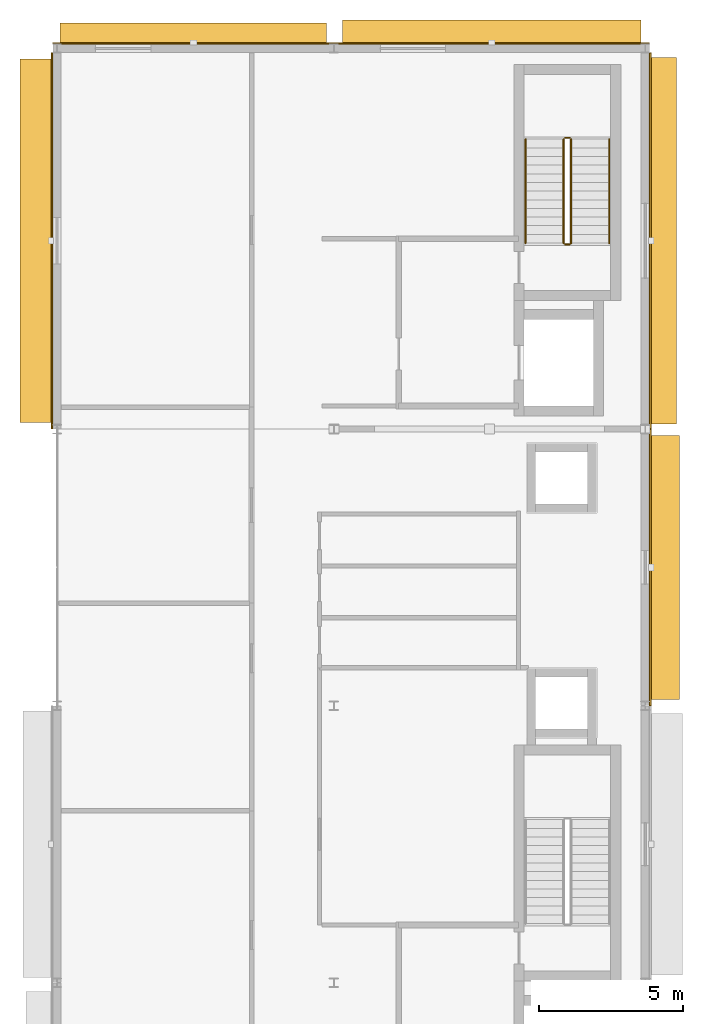
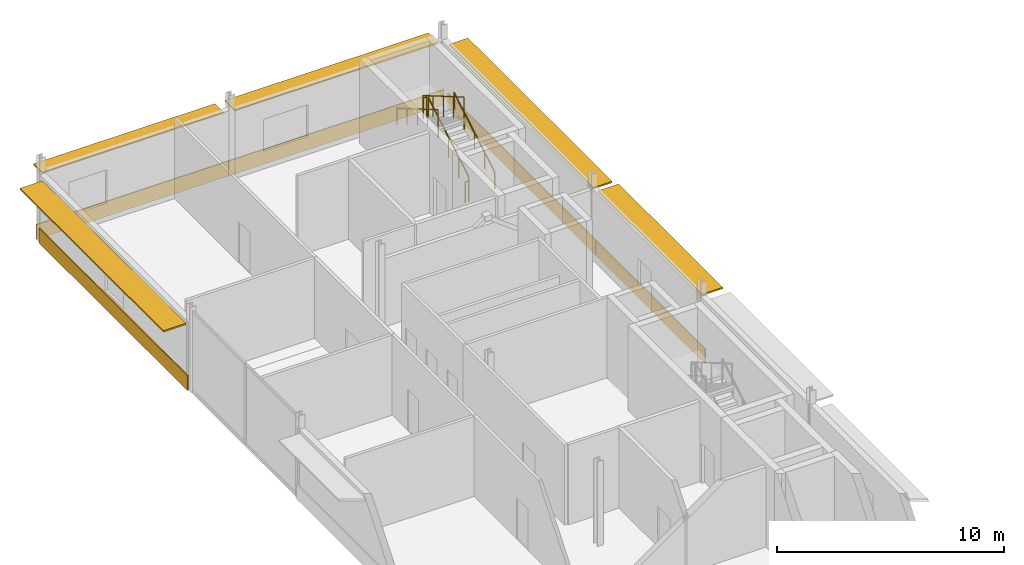
# One storey, part 10 of 10: 6 railings, 5 coverings, 5 shading devices.
"""IFC4 building model written with IfcOpenShell, lengths in metres."""

from ifc_helpers import new_model, si_unit, direction, frame, origin, origin_2d, place, context, subcontext, project, spatial, rectangle, circle, extrude, material, layer, layer_set, type_object, element, save


model = new_model("IFC4")

# Units and contexts
model_context = context("Model", 3, precision=1e-05, world=origin(), true_north=direction((0.0, 1.0)))
body_context = subcontext(model_context, "Body", "Model", "MODEL_VIEW")
ifc_project = project(units=[si_unit("LENGTHUNIT", "METRE"), si_unit("AREAUNIT", "SQUARE_METRE"), si_unit("VOLUMEUNIT", "CUBIC_METRE"), si_unit("PLANEANGLEUNIT", "RADIAN"), si_unit("MASSUNIT", "GRAM", prefix="KILO")], contexts=[model_context])

# Site, building, storey
site_placement = place(None, origin())
site = spatial("IfcSite", under=ifc_project, at=site_placement, CompositionType="ELEMENT")
building_placement = place(site_placement, origin())
building = spatial("IfcBuilding", under=site, at=building_placement, Name="Almandine Court Research Institute", CompositionType="ELEMENT")
storey_placement = place(building_placement, frame((0.0, 0.0, 41.64990234375)))
storey = spatial("IfcBuildingStorey", under=building, at=storey_placement, Name="L09", CompositionType="ELEMENT", Elevation=41.64990234375)

# Coverings
ifc_material_1 = material(Name="Extruded Cream-Ochre Seismic Terracotta Spandrel", Category="masonry")
ifc_layer_1 = layer(ifc_material_1, 0.054931640625)
ifc_layer_set_1 = layer_set([ifc_layer_1], Name="Extruded Cream-Ochre Seismic Terracotta Spandrel")
covering_type = type_object("IfcCoveringType", Name="Cov-CLAD-TERR", PredefinedType="CLADDING", material=ifc_layer_set_1)
covering_1_placement = place(storey_placement, frame((153.428955078125, 50.927978515625, 0.02001953125), z_axis=(0.0, 0.0, 1.0), x_axis=(0.0, 1.0, 0.0)))
element("IfcCovering", 1, at=covering_1_placement, inside=storey, type_object=covering_type, Name="L09 Facade Spandrel Cladding Band 242", PredefinedType="CLADDING", context=body_context, shape_type="SweptSolid", body=[
    extrude(rectangle(XDim=13.047119140625, YDim=0.054931640625, at=origin_2d()), origin(), (0.0, 0.0, 1.0), 0.800048828125),
])
covering_2_placement = place(storey_placement, frame((158.325927734375, 57.77001953125, 0.02001953125), z_axis=(0.0, 0.0, 1.0), x_axis=(1.0, 0.0, 0.0)))
element("IfcCovering", 2, at=covering_2_placement, inside=storey, type_object=covering_type, Name="L09 Facade Spandrel Cladding Band 243", PredefinedType="CLADDING", context=body_context, shape_type="SweptSolid", body=[
    extrude(rectangle(XDim=9.740966796875, YDim=0.054931640625, at=origin_2d()), origin(), (0.0, 0.0, 1.0), 0.800048828125),
])
covering_3_placement = place(storey_placement, frame((168.675048828125, 57.77001953125, 0.02001953125), z_axis=(0.0, 0.0, 1.0), x_axis=(1.0, 0.0, 0.0)))
element("IfcCovering", 3, at=covering_3_placement, inside=storey, type_object=covering_type, Name="L09 Facade Spandrel Cladding Band 244", PredefinedType="CLADDING", context=body_context, shape_type="SweptSolid", body=[
    extrude(rectangle(XDim=10.94091796875, YDim=0.054931640625, at=origin_2d()), origin(), (0.0, 0.0, 1.0), 0.800048828125),
])
covering_4_placement = place(storey_placement, frame((174.1708984375, 50.927978515625, 0.02001953125), z_axis=(0.0, 0.0, 1.0), x_axis=(0.0, -1.0, 0.0)))
element("IfcCovering", 4, at=covering_4_placement, inside=storey, type_object=covering_type, Name="L09 Facade Spandrel Cladding Band 245", PredefinedType="CLADDING", context=body_context, shape_type="SweptSolid", body=[
    extrude(rectangle(XDim=13.047119140625, YDim=0.054931640625, at=origin_2d()), origin(), (0.0, 0.0, 1.0), 0.800048828125),
])
covering_5_placement = place(storey_placement, frame((174.1708984375, 39.60009765625, 0.02001953125), z_axis=(0.0, 0.0, 1.0), x_axis=(0.0, -1.0, 0.0)))
element("IfcCovering", 5, at=covering_5_placement, inside=storey, type_object=covering_type, Name="L09 Facade Spandrel Cladding Band 246", PredefinedType="CLADDING", context=body_context, shape_type="SweptSolid", body=[
    extrude(rectangle(XDim=9.592041015625, YDim=0.054931640625, at=origin_2d()), origin(), (0.0, 0.0, 1.0), 0.800048828125),
])

# Railings
ifc_material_2 = material(Name="Powder-Coated Steel Stair and Atrium Balustrade", Category="steel")
railing_type_1 = type_object("IfcRailingType", Name="Rail-GUARD-INT", PredefinedType="BALUSTRADE", material=ifc_material_2)
railing_1_placement = place(storey_placement, frame((171.429931640625, 50.85009765625, 0.175048828125)))
element("IfcRailing", 6, at=railing_1_placement, inside=storey, type_object=railing_type_1, Name="L09 ST-08 stair guard 1", PredefinedType="BALUSTRADE", context=body_context, shape_type="SweptSolid", body=[
    extrude(circle(Radius=0.02392578125, at=origin_2d()), frame((0.0, 0.0, 1.09619140625), z_axis=(0.0, 0.863759778359, 0.503903805591), x_axis=(-1.0, 0.0, 0.0)), (0.0, 0.0, 1.0), 4.167724609375),
    extrude(circle(Radius=0.02099609375, at=origin_2d()), origin(), (0.0, 0.0, 1.0), 1.072021484375),
    extrude(circle(Radius=0.02099609375, at=origin_2d()), frame((0.0, 0.89990234375, 0.52490234375)), (0.0, 0.0, 1.0), 1.072021484375),
    extrude(circle(Radius=0.02099609375, at=origin_2d()), frame((0.0, 1.7998046875, 1.050048828125)), (0.0, 0.0, 1.0), 1.072021484375),
    extrude(circle(Radius=0.02099609375, at=origin_2d()), frame((0.0, 2.699951171875, 1.5751953125)), (0.0, 0.0, 1.0), 1.072021484375),
    extrude(circle(Radius=0.02099609375, at=origin_2d()), frame((0.0, 3.599853515625, 2.10009765625)), (0.0, 0.0, 1.0), 1.072021484375),
])
railing_2_placement = place(storey_placement, frame((171.3798828125, 54.5, 2.275146484375)))
element("IfcRailing", 7, at=railing_2_placement, inside=storey, type_object=railing_type_1, Name="L09 ST-08 stair guard 2", PredefinedType="BALUSTRADE", context=body_context, shape_type="SweptSolid", body=[
    extrude(circle(Radius=0.02392578125, at=origin_2d()), frame((0.0, 0.0, 1.09619140625), z_axis=(-1.0, 0.0, 0.0), x_axis=(0.0, -1.0, 0.0)), (0.0, 0.0, 1.0), 0.159912109375),
    extrude(circle(Radius=0.02099609375, at=origin_2d()), origin(), (0.0, 0.0, 1.0), 1.072021484375),
    extrude(circle(Radius=0.02099609375, at=origin_2d()), frame((-0.159912109375, 0.0, 0.0)), (0.0, 0.0, 1.0), 1.072021484375),
])
railing_3_placement = place(storey_placement, frame((171.169921875, 54.449951171875, 2.4501953125)))
element("IfcRailing", 8, at=railing_3_placement, inside=storey, type_object=railing_type_1, Name="L09 ST-08 stair guard 3", PredefinedType="BALUSTRADE", context=body_context, shape_type="SweptSolid", body=[
    extrude(circle(Radius=0.02392578125, at=origin_2d()), frame((0.0, 0.0, 1.09619140625), z_axis=(0.0, -0.86378527499, 0.503860098351), x_axis=(1.0, 0.0, 0.0)), (0.0, 0.0, 1.0), 4.16748046875),
    extrude(circle(Radius=0.02099609375, at=origin_2d()), origin(), (0.0, 0.0, 1.0), 1.072021484375),
    extrude(circle(Radius=0.02099609375, at=origin_2d()), frame((0.0, -0.89990234375, 0.52490234375)), (0.0, 0.0, 1.0), 1.072021484375),
    extrude(circle(Radius=0.02099609375, at=origin_2d()), frame((0.0, -1.7998046875, 1.0498046875)), (0.0, 0.0, 1.0), 1.072021484375),
    extrude(circle(Radius=0.02099609375, at=origin_2d()), frame((0.0, -2.699951171875, 1.574951171875)), (0.0, 0.0, 1.0), 1.072021484375),
    extrude(circle(Radius=0.02099609375, at=origin_2d()), frame((0.0, -3.599853515625, 2.099853515625)), (0.0, 0.0, 1.0), 1.072021484375),
])
railing_4_placement = place(storey_placement, frame((171.3798828125, 50.800048828125, 0.0)))
element("IfcRailing", 9, at=railing_4_placement, inside=storey, type_object=railing_type_1, Name="L09 ST-08 stair guard 4", PredefinedType="BALUSTRADE", context=body_context, shape_type="SweptSolid", body=[
    extrude(circle(Radius=0.02392578125, at=origin_2d()), frame((0.0, 0.0, 1.09619140625), z_axis=(-1.0, 0.0, 0.0), x_axis=(0.0, -1.0, 0.0)), (0.0, 0.0, 1.0), 0.159912109375),
    extrude(circle(Radius=0.02099609375, at=origin_2d()), origin(), (0.0, 0.0, 1.0), 1.072021484375),
    extrude(circle(Radius=0.02099609375, at=origin_2d()), frame((-0.159912109375, 0.0, 0.0)), (0.0, 0.0, 1.0), 1.072021484375),
])
ifc_material_3 = material(Name="Brushed Stainless Steel Wall Handrail", Category="steel")
railing_type_2 = type_object("IfcRailingType", Name="Rail-HAND-INT", PredefinedType="HANDRAIL", material=ifc_material_3)
railing_5_placement = place(storey_placement, frame((172.75, 50.85009765625, 0.175048828125)))
element("IfcRailing", 10, at=railing_5_placement, inside=storey, type_object=railing_type_2, Name="L09 ST-08 stair handrail 1", PredefinedType="HANDRAIL", context=body_context, shape_type="SweptSolid", body=[
    extrude(circle(Radius=0.02392578125, at=origin_2d()), frame((0.0, 0.0, 0.8759765625), z_axis=(0.0, 0.863759778359, 0.503903805591), x_axis=(-1.0, 0.0, 0.0)), (0.0, 0.0, 1.0), 4.167724609375),
    extrude(circle(Radius=0.02099609375, at=origin_2d()), origin(), (0.0, 0.0, 1.0), 0.851806640625),
    extrude(circle(Radius=0.02099609375, at=origin_2d()), frame((0.0, 0.89990234375, 0.52490234375)), (0.0, 0.0, 1.0), 0.851806640625),
    extrude(circle(Radius=0.02099609375, at=origin_2d()), frame((0.0, 1.7998046875, 1.050048828125)), (0.0, 0.0, 1.0), 0.851806640625),
    extrude(circle(Radius=0.02099609375, at=origin_2d()), frame((0.0, 2.699951171875, 1.5751953125)), (0.0, 0.0, 1.0), 0.851806640625),
    extrude(circle(Radius=0.02099609375, at=origin_2d()), frame((0.0, 3.599853515625, 2.10009765625)), (0.0, 0.0, 1.0), 0.851806640625),
])
railing_6_placement = place(storey_placement, frame((169.85009765625, 54.449951171875, 2.4501953125)))
element("IfcRailing", 11, at=railing_6_placement, inside=storey, type_object=railing_type_2, Name="L09 ST-08 stair handrail 2", PredefinedType="HANDRAIL", context=body_context, shape_type="SweptSolid", body=[
    extrude(circle(Radius=0.02392578125, at=origin_2d()), frame((0.0, 0.0, 0.8759765625), z_axis=(0.0, -0.86378527499, 0.503860098351), x_axis=(1.0, 0.0, 0.0)), (0.0, 0.0, 1.0), 4.16748046875),
    extrude(circle(Radius=0.02099609375, at=origin_2d()), origin(), (0.0, 0.0, 1.0), 0.851806640625),
    extrude(circle(Radius=0.02099609375, at=origin_2d()), frame((0.0, -0.89990234375, 0.52490234375)), (0.0, 0.0, 1.0), 0.851806640625),
    extrude(circle(Radius=0.02099609375, at=origin_2d()), frame((0.0, -1.7998046875, 1.0498046875)), (0.0, 0.0, 1.0), 0.851806640625),
    extrude(circle(Radius=0.02099609375, at=origin_2d()), frame((0.0, -2.699951171875, 1.574951171875)), (0.0, 0.0, 1.0), 0.851806640625),
    extrude(circle(Radius=0.02099609375, at=origin_2d()), frame((0.0, -3.599853515625, 2.099853515625)), (0.0, 0.0, 1.0), 0.851806640625),
])

# Shading devices
ifc_material_4 = material(Name="Precast GFRC Chhajja Sunshade and Acoustic Louvre", Category="concrete")
ifc_layer_2 = layer(ifc_material_4, 0.080078125)
ifc_layer_set_2 = layer_set([ifc_layer_2], Name="Precast GFRC Chhajja Sunshade and Acoustic Louvre")
shading_device_type_1 = type_object("IfcShadingDeviceType", Name="Shd-SD-12", PredefinedType="AWNING", material=ifc_layer_set_2)
shading_device_1_placement = place(storey_placement, frame((174.659912109375, 39.60009765625, 3.5419921875), z_axis=(0.0, 0.0, 1.0), x_axis=(0.0, -1.0, 0.0)))
element("IfcShadingDevice", 12, at=shading_device_1_placement, inside=storey, type_object=shading_device_type_1, Name="L09 Projecting Chhajja Sunshade 173", PredefinedType="AWNING", context=body_context, shape_type="SweptSolid", body=[
    extrude(rectangle(XDim=9.162109375, YDim=1.050048828125, at=origin_2d()), origin(), (0.0, 0.0, 1.0), 0.080078125),
])
ifc_layer_3 = layer(ifc_material_4, 0.080078125)
ifc_layer_set_3 = layer_set([ifc_layer_3], Name="Precast GFRC Chhajja Sunshade and Acoustic Louvre")
shading_device_type_2 = type_object("IfcShadingDeviceType", Name="Shd-SD-20", PredefinedType="AWNING", material=ifc_layer_set_3)
shading_device_2_placement = place(storey_placement, frame((158.325927734375, 58.110107421875, 3.468017578125), z_axis=(0.0, 0.0, 1.0), x_axis=(1.0, 0.0, 0.0)))
element("IfcShadingDevice", 13, at=shading_device_2_placement, inside=storey, type_object=shading_device_type_2, Name="L09 Projecting Chhajja Sunshade 170", PredefinedType="AWNING", context=body_context, shape_type="SweptSolid", body=[
    extrude(rectangle(XDim=9.23095703125, YDim=0.75, at=origin_2d()), origin(), (0.0, 0.0, 1.0), 0.080078125),
])
ifc_layer_4 = layer(ifc_material_4, 0.080078125)
ifc_layer_set_4 = layer_set([ifc_layer_4], Name="Precast GFRC Chhajja Sunshade and Acoustic Louvre")
shading_device_type_3 = type_object("IfcShadingDeviceType", Name="Shd-SD-76", PredefinedType="AWNING", material=ifc_layer_set_4)
shading_device_3_placement = place(storey_placement, frame((152.889892578125, 50.927978515625, 3.400146484375), z_axis=(0.0, 0.0, 1.0), x_axis=(0.0, 1.0, 0.0)))
element("IfcShadingDevice", 14, at=shading_device_3_placement, inside=storey, type_object=shading_device_type_3, Name="L09 Projecting Chhajja Sunshade 169", PredefinedType="AWNING", context=body_context, shape_type="SweptSolid", body=[
    extrude(rectangle(XDim=12.616943359375, YDim=1.14990234375, at=origin_2d()), origin(), (0.0, 0.0, 1.0), 0.080078125),
])
ifc_layer_5 = layer(ifc_material_4, 0.080078125)
ifc_layer_set_5 = layer_set([ifc_layer_5], Name="Precast GFRC Chhajja Sunshade and Acoustic Louvre")
shading_device_type_4 = type_object("IfcShadingDeviceType", Name="Shd-SD-79", PredefinedType="AWNING", material=ifc_layer_set_5)
shading_device_4_placement = place(storey_placement, frame((168.675048828125, 58.159912109375, 3.39013671875), z_axis=(0.0, 0.0, 1.0), x_axis=(1.0, 0.0, 0.0)))
element("IfcShadingDevice", 15, at=shading_device_4_placement, inside=storey, type_object=shading_device_type_4, Name="L09 Projecting Chhajja Sunshade 171", PredefinedType="AWNING", context=body_context, shape_type="SweptSolid", body=[
    extrude(rectangle(XDim=10.35107421875, YDim=0.85009765625, at=origin_2d()), origin(), (0.0, 0.0, 1.0), 0.080078125),
])
ifc_layer_6 = layer(ifc_material_4, 0.080078125)
ifc_layer_set_6 = layer_set([ifc_layer_6], Name="Precast GFRC Chhajja Sunshade and Acoustic Louvre")
shading_device_type_5 = type_object("IfcShadingDeviceType", Name="Shd-SD-80", PredefinedType="AWNING", material=ifc_layer_set_6)
shading_device_5_placement = place(storey_placement, frame((174.610107421875, 50.927978515625, 3.47412109375), z_axis=(0.0, 0.0, 1.0), x_axis=(0.0, -1.0, 0.0)))
element("IfcShadingDevice", 16, at=shading_device_5_placement, inside=storey, type_object=shading_device_type_5, Name="L09 Projecting Chhajja Sunshade 172", PredefinedType="AWNING", context=body_context, shape_type="SweptSolid", body=[
    extrude(rectangle(XDim=12.697021484375, YDim=0.949951171875, at=origin_2d()), origin(), (0.0, 0.0, 1.0), 0.080078125),
])

save(model, "model.ifc")
